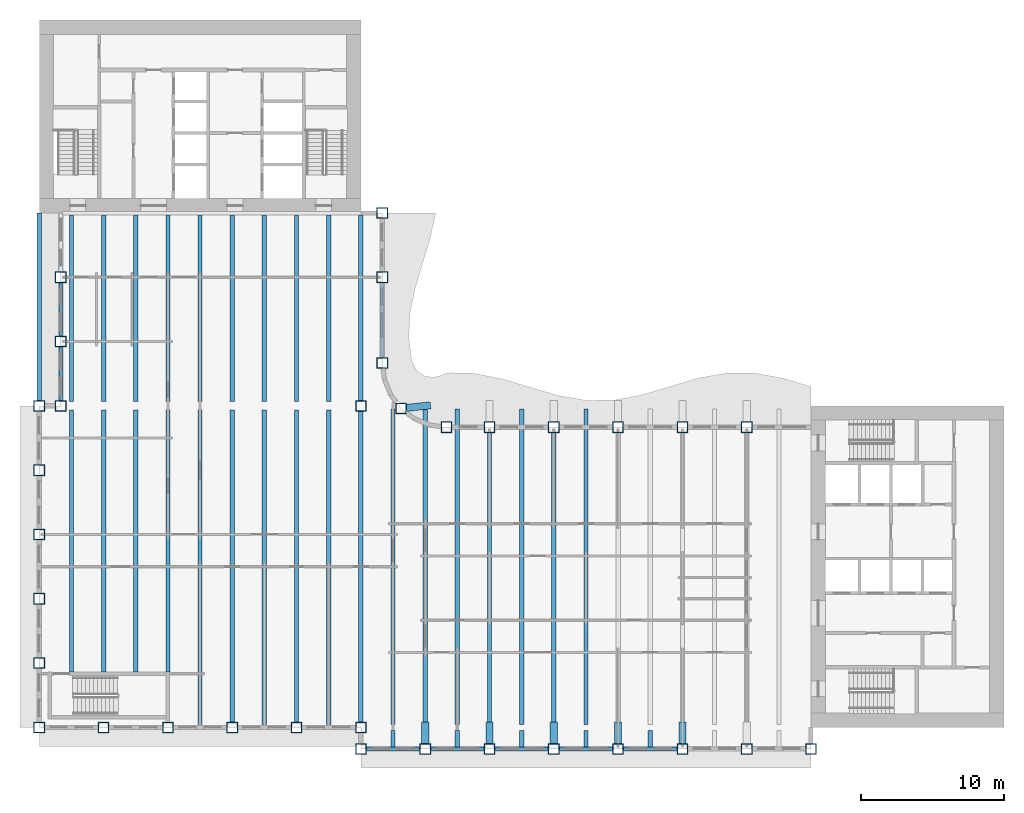
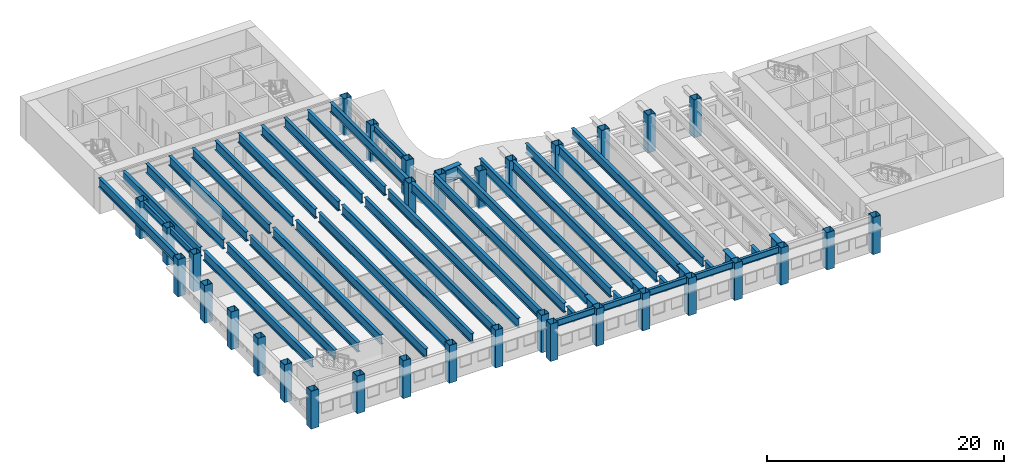
# One storey, part 1 of 16: 47 beams, 33 columns.
"""IFC4 building model written with IfcOpenShell, lengths in metres."""

from ifc_helpers import new_model, si_unit, direction, frame, origin, origin_2d, place, context, subcontext, project, spatial, hollow_rectangle, i_section, extrude, material, material_profile, profile_set, type_object, element, save


model = new_model("IFC4")

# Units and contexts
model_context = context("Model", 3, precision=1e-05, world=origin(), true_north=direction((0.0, 1.0)))
body_context = subcontext(model_context, "Body", "Model", "MODEL_VIEW")
ifc_project = project(units=[si_unit("LENGTHUNIT", "METRE"), si_unit("AREAUNIT", "SQUARE_METRE"), si_unit("VOLUMEUNIT", "CUBIC_METRE"), si_unit("PLANEANGLEUNIT", "RADIAN"), si_unit("MASSUNIT", "GRAM", prefix="KILO")], contexts=[model_context])

# Site, building, storey
site_placement = place(None, origin())
site = spatial("IfcSite", under=ifc_project, at=site_placement, CompositionType="ELEMENT")
building_placement = place(site_placement, origin())
building = spatial("IfcBuilding", under=site, at=building_placement, Name="Sennacour Bend Tower", CompositionType="ELEMENT")
storey_placement = place(building_placement, frame((0.0, 0.0, 239.0)))
storey = spatial("IfcBuildingStorey", under=building, at=storey_placement, Name="L55", CompositionType="ELEMENT", Elevation=239.0)

# Columns
ifc_material_1 = material(Name="Steel ASTM A572 Grade 50", Category="steel")
ifc_material_profile_1 = material_profile(ifc_material_1, hollow_rectangle(XDim=0.75, YDim=0.75, WallThickness=0.035888671875, at=origin_2d()), Name="Steel ASTM A572 Grade 50", Category="steel")
ifc_profile_set_1 = profile_set([ifc_material_profile_1], Name="Steel ASTM A572 Grade 50")
column_type = type_object("IfcColumnType", Name="Box column 750", PredefinedType="COLUMN", material=ifc_profile_set_1)
for number, where, z_axis, x_axis, name in (
    (1, (0.0, 0.0, -0.14990234375), (0.0, 0.0, 1.0), (1.0, 0.0, 0.0), "Perimeter column C4 L55-001"),
    (2, (0.0, 4.5, -0.14990234375), (0.0, 0.0, 1.0), (1.0, 0.0, 0.0), "Perimeter column C4 L55-002"),
    (3, (0.0, 9.0, -0.14990234375), (0.0, 0.0, 1.0), (1.0, 0.0, 0.0), "Perimeter column C4 L55-003"),
    (4, (0.0, 13.5, -0.14990234375), (0.0, 0.0, 1.0), (1.0, 0.0, 0.0), "Perimeter column C4 L55-004"),
    (5, (0.0, 18.0, -0.14990234375), (0.0, 0.0, 1.0), (1.0, 0.0, 0.0), "Perimeter column C4 L55-005"),
):
    element("IfcColumn", number, at=place(storey_placement, frame(where, z_axis=z_axis, x_axis=x_axis)), inside=storey, type_object=column_type, Name=name, PredefinedType="COLUMN", context=body_context, shape_type="SweptSolid", body=[
        extrude(hollow_rectangle(XDim=0.75, YDim=0.75, WallThickness=0.035888671875, at=origin_2d()), origin(), (0.0, 0.0, 1.0), 3.89990234375),
    ])
for number, where, z_axis, x_axis, name in (
    (6, (0.0, 22.5, -0.14990234375), (0.0, 0.0, 1.0), (1.0, 0.0, 0.0), "Perimeter column C4 L55-006"),
    (7, (1.5, 22.5, -0.14990234375), (0.0, 0.0, 1.0), (1.0, 0.0, 0.0), "Perimeter column C4 L55-007"),
    (8, (1.5, 27.0, -0.14990234375), (0.0, 0.0, 1.0), (1.0, 0.0, 0.0), "Perimeter column C4 L55-008"),
    (9, (1.5, 31.5, -0.14990234375), (0.0, 0.0, 1.0), (1.0, 0.0, 0.0), "Perimeter column C4 L55-009"),
):
    element("IfcColumn", number, at=place(storey_placement, frame(where, z_axis=z_axis, x_axis=x_axis)), inside=storey, type_object=column_type, Name=name, PredefinedType="COLUMN", context=body_context, shape_type="SweptSolid", body=[
        extrude(hollow_rectangle(XDim=0.75, YDim=0.75, WallThickness=0.035888671875, at=origin_2d()), origin(), (0.0, 0.0, 1.0), 3.849853515625),
    ])
for number, where, z_axis, x_axis, name in (
    (10, (4.5, 0.0, -0.14990234375), (0.0, 0.0, 1.0), (1.0, 0.0, 0.0), "Perimeter column C4 L55-010"),
    (11, (9.0, 0.0, -0.14990234375), (0.0, 0.0, 1.0), (1.0, 0.0, 0.0), "Perimeter column C4 L55-011"),
    (12, (13.5, 0.0, -0.14990234375), (0.0, 0.0, 1.0), (1.0, 0.0, 0.0), "Perimeter column C4 L55-012"),
    (13, (18.0, 0.0, -0.14990234375), (0.0, 0.0, 1.0), (1.0, 0.0, 0.0), "Perimeter column C4 L55-013"),
):
    element("IfcColumn", number, at=place(storey_placement, frame(where, z_axis=z_axis, x_axis=x_axis)), inside=storey, type_object=column_type, Name=name, PredefinedType="COLUMN", context=body_context, shape_type="SweptSolid", body=[
        extrude(hollow_rectangle(XDim=0.75, YDim=0.75, WallThickness=0.035888671875, at=origin_2d()), origin(), (0.0, 0.0, 1.0), 3.89990234375),
    ])
for number, where, z_axis, x_axis, name in (
    (14, (22.5, -1.5, -0.14990234375), (0.0, 0.0, 1.0), (1.0, 0.0, 0.0), "Perimeter column C4 L55-014"),
    (15, (22.5, 0.0, -0.14990234375), (0.0, 0.0, 1.0), (1.0, 0.0, 0.0), "Perimeter column C4 L55-015"),
    (16, (22.5, 22.5, -0.14990234375), (0.0, 0.0, 1.0), (1.0, 0.0, 0.0), "Knuckle column C4 L55-016"),
    (17, (24.0, 25.5, -0.14990234375), (0.0, 0.0, 1.0), (1.0, 0.0, 0.0), "Perimeter column C4 L55-017"),
    (18, (24.0, 31.5, -0.14990234375), (0.0, 0.0, 1.0), (1.0, 0.0, 0.0), "Perimeter column C4 L55-018"),
    (19, (24.0, 36.0, -0.14990234375), (0.0, 0.0, 1.0), (1.0, 0.0, 0.0), "Perimeter column C4 L55-019"),
    (20, (25.318115234375, 22.318115234375, -0.14990234375), (0.0, 0.0, 1.0), (1.0, 0.0, 0.0), "Perimeter column C4 L55-020"),
    (21, (27.0, -1.5, -0.14990234375), (0.0, 0.0, 1.0), (1.0, 0.0, 0.0), "Perimeter column C4 L55-021"),
):
    element("IfcColumn", number, at=place(storey_placement, frame(where, z_axis=z_axis, x_axis=x_axis)), inside=storey, type_object=column_type, Name=name, PredefinedType="COLUMN", context=body_context, shape_type="SweptSolid", body=[
        extrude(hollow_rectangle(XDim=0.75, YDim=0.75, WallThickness=0.035888671875, at=origin_2d()), origin(), (0.0, 0.0, 1.0), 3.849853515625),
    ])
column_1_placement = place(storey_placement, frame((28.5, 21.0, -0.14990234375), z_axis=(0.0, 0.0, 1.0), x_axis=(1.0, 0.0, 0.0)))
element("IfcColumn", 22, at=column_1_placement, inside=storey, type_object=column_type, Name="Perimeter column C4 L55-022", PredefinedType="COLUMN", context=body_context, shape_type="SweptSolid", body=[
    extrude(hollow_rectangle(XDim=0.75, YDim=0.75, WallThickness=0.035888671875, at=origin_2d()), origin(), (0.0, 0.0, 1.0), 3.89990234375),
])
column_2_placement = place(storey_placement, frame((31.5, -1.5, -0.14990234375), z_axis=(0.0, 0.0, 1.0), x_axis=(1.0, 0.0, 0.0)))
element("IfcColumn", 23, at=column_2_placement, inside=storey, type_object=column_type, Name="Perimeter column C4 L55-023", PredefinedType="COLUMN", context=body_context, shape_type="SweptSolid", body=[
    extrude(hollow_rectangle(XDim=0.75, YDim=0.75, WallThickness=0.035888671875, at=origin_2d()), origin(), (0.0, 0.0, 1.0), 3.849853515625),
])
column_3_placement = place(storey_placement, frame((31.5, 21.0, -0.14990234375), z_axis=(0.0, 0.0, 1.0), x_axis=(1.0, 0.0, 0.0)))
element("IfcColumn", 24, at=column_3_placement, inside=storey, type_object=column_type, Name="Perimeter column C4 L55-024", PredefinedType="COLUMN", context=body_context, shape_type="SweptSolid", body=[
    extrude(hollow_rectangle(XDim=0.75, YDim=0.75, WallThickness=0.035888671875, at=origin_2d()), origin(), (0.0, 0.0, 1.0), 3.89990234375),
])
column_4_placement = place(storey_placement, frame((36.0, -1.5, -0.14990234375), z_axis=(0.0, 0.0, 1.0), x_axis=(1.0, 0.0, 0.0)))
element("IfcColumn", 25, at=column_4_placement, inside=storey, type_object=column_type, Name="Perimeter column C4 L55-025", PredefinedType="COLUMN", context=body_context, shape_type="SweptSolid", body=[
    extrude(hollow_rectangle(XDim=0.75, YDim=0.75, WallThickness=0.035888671875, at=origin_2d()), origin(), (0.0, 0.0, 1.0), 3.849853515625),
])
column_5_placement = place(storey_placement, frame((36.0, 21.0, -0.14990234375), z_axis=(0.0, 0.0, 1.0), x_axis=(1.0, 0.0, 0.0)))
element("IfcColumn", 26, at=column_5_placement, inside=storey, type_object=column_type, Name="Perimeter column C4 L55-026", PredefinedType="COLUMN", context=body_context, shape_type="SweptSolid", body=[
    extrude(hollow_rectangle(XDim=0.75, YDim=0.75, WallThickness=0.035888671875, at=origin_2d()), origin(), (0.0, 0.0, 1.0), 3.89990234375),
])
column_6_placement = place(storey_placement, frame((40.5, -1.5, -0.14990234375), z_axis=(0.0, 0.0, 1.0), x_axis=(1.0, 0.0, 0.0)))
element("IfcColumn", 27, at=column_6_placement, inside=storey, type_object=column_type, Name="Perimeter column C4 L55-027", PredefinedType="COLUMN", context=body_context, shape_type="SweptSolid", body=[
    extrude(hollow_rectangle(XDim=0.75, YDim=0.75, WallThickness=0.035888671875, at=origin_2d()), origin(), (0.0, 0.0, 1.0), 3.849853515625),
])
column_7_placement = place(storey_placement, frame((40.5, 21.0, -0.14990234375), z_axis=(0.0, 0.0, 1.0), x_axis=(1.0, 0.0, 0.0)))
element("IfcColumn", 28, at=column_7_placement, inside=storey, type_object=column_type, Name="Perimeter column C4 L55-028", PredefinedType="COLUMN", context=body_context, shape_type="SweptSolid", body=[
    extrude(hollow_rectangle(XDim=0.75, YDim=0.75, WallThickness=0.035888671875, at=origin_2d()), origin(), (0.0, 0.0, 1.0), 3.89990234375),
])
column_8_placement = place(storey_placement, frame((45.0, -1.5, -0.14990234375), z_axis=(0.0, 0.0, 1.0), x_axis=(1.0, 0.0, 0.0)))
element("IfcColumn", 29, at=column_8_placement, inside=storey, type_object=column_type, Name="Perimeter column C4 L55-029", PredefinedType="COLUMN", context=body_context, shape_type="SweptSolid", body=[
    extrude(hollow_rectangle(XDim=0.75, YDim=0.75, WallThickness=0.035888671875, at=origin_2d()), origin(), (0.0, 0.0, 1.0), 3.849853515625),
])
column_9_placement = place(storey_placement, frame((45.0, 21.0, -0.14990234375), z_axis=(0.0, 0.0, 1.0), x_axis=(1.0, 0.0, 0.0)))
element("IfcColumn", 30, at=column_9_placement, inside=storey, type_object=column_type, Name="Perimeter column C4 L55-030", PredefinedType="COLUMN", context=body_context, shape_type="SweptSolid", body=[
    extrude(hollow_rectangle(XDim=0.75, YDim=0.75, WallThickness=0.035888671875, at=origin_2d()), origin(), (0.0, 0.0, 1.0), 3.89990234375),
])
column_10_placement = place(storey_placement, frame((49.5, -1.5, -0.14990234375), z_axis=(0.0, 0.0, 1.0), x_axis=(1.0, 0.0, 0.0)))
element("IfcColumn", 31, at=column_10_placement, inside=storey, type_object=column_type, Name="Perimeter column C4 L55-031", PredefinedType="COLUMN", context=body_context, shape_type="SweptSolid", body=[
    extrude(hollow_rectangle(XDim=0.75, YDim=0.75, WallThickness=0.035888671875, at=origin_2d()), origin(), (0.0, 0.0, 1.0), 3.849853515625),
])
column_11_placement = place(storey_placement, frame((49.5, 21.0, -0.14990234375), z_axis=(0.0, 0.0, 1.0), x_axis=(1.0, 0.0, 0.0)))
element("IfcColumn", 32, at=column_11_placement, inside=storey, type_object=column_type, Name="Perimeter column C4 L55-032", PredefinedType="COLUMN", context=body_context, shape_type="SweptSolid", body=[
    extrude(hollow_rectangle(XDim=0.75, YDim=0.75, WallThickness=0.035888671875, at=origin_2d()), origin(), (0.0, 0.0, 1.0), 3.89990234375),
])
column_12_placement = place(storey_placement, frame((54.0, -1.5, -0.14990234375), z_axis=(0.0, 0.0, 1.0), x_axis=(1.0, 0.0, 0.0)))
element("IfcColumn", 33, at=column_12_placement, inside=storey, type_object=column_type, Name="Perimeter column C4 L55-033", PredefinedType="COLUMN", context=body_context, shape_type="SweptSolid", body=[
    extrude(hollow_rectangle(XDim=0.75, YDim=0.75, WallThickness=0.035888671875, at=origin_2d()), origin(), (0.0, 0.0, 1.0), 3.849853515625),
])

# Beams
ifc_material_2 = material(Name="Steel ASTM A992 Grade 50", Category="steel")
ifc_material_profile_2 = material_profile(ifc_material_2, i_section(OverallWidth=0.300048828125, OverallDepth=0.97998046875, WebThickness=0.0166015625, FlangeThickness=0.026123046875, FilletRadius=0.02978515625, at=origin_2d()), Name="Steel ASTM A992 Grade 50", Category="steel")
ifc_profile_set_2 = profile_set([ifc_material_profile_2], Name="Steel ASTM A992 Grade 50")
beam_type_1 = type_object("IfcBeamType", Name="Floor beam W1000X249", PredefinedType="BEAM", material=ifc_profile_set_2)
beam_1_placement = place(storey_placement, frame((0.0, 22.875, 3.2099609375), z_axis=(0.0, 1.0, 0.0), x_axis=(-1.0, 0.0, 0.0)))
element("IfcBeam", 34, at=beam_1_placement, inside=storey, type_object=beam_type_1, Name="Floor beam FBM2 L56-001", PredefinedType="BEAM", context=body_context, shape_type="SweptSolid", body=[
    extrude(i_section(OverallWidth=0.300048828125, OverallDepth=0.97998046875, WebThickness=0.0166015625, FlangeThickness=0.026123046875, FilletRadius=0.02978515625, at=origin_2d()), origin(), (0.0, 0.0, 1.0), 13.125),
])
beam_2_placement = place(storey_placement, frame((2.25, 3.875, 3.260009765625), z_axis=(0.0, 1.0, 0.0), x_axis=(-1.0, 0.0, 0.0)))
element("IfcBeam", 35, at=beam_2_placement, inside=storey, type_object=beam_type_1, Name="Floor beam FBM2 L56-002", PredefinedType="BEAM", context=body_context, shape_type="SweptSolid", body=[
    extrude(i_section(OverallWidth=0.300048828125, OverallDepth=0.97998046875, WebThickness=0.0166015625, FlangeThickness=0.026123046875, FilletRadius=0.02978515625, at=origin_2d()), origin(), (0.0, 0.0, 1.0), 18.324951171875),
])
beam_3_placement = place(storey_placement, frame((2.25, 22.800048828125, 3.2099609375), z_axis=(0.0, 1.0, 0.0), x_axis=(-1.0, 0.0, 0.0)))
element("IfcBeam", 36, at=beam_3_placement, inside=storey, type_object=beam_type_1, Name="Floor beam FBM2 L56-003", PredefinedType="BEAM", context=body_context, shape_type="SweptSolid", body=[
    extrude(i_section(OverallWidth=0.300048828125, OverallDepth=0.97998046875, WebThickness=0.0166015625, FlangeThickness=0.026123046875, FilletRadius=0.02978515625, at=origin_2d()), origin(), (0.0, 0.0, 1.0), 13.04150390625),
])
beam_4_placement = place(storey_placement, frame((4.5, 3.875, 3.260009765625), z_axis=(0.0, 1.0, 0.0), x_axis=(-1.0, 0.0, 0.0)))
element("IfcBeam", 37, at=beam_4_placement, inside=storey, type_object=beam_type_1, Name="Floor beam FBM2 L56-004", PredefinedType="BEAM", context=body_context, shape_type="SweptSolid", body=[
    extrude(i_section(OverallWidth=0.300048828125, OverallDepth=0.97998046875, WebThickness=0.0166015625, FlangeThickness=0.026123046875, FilletRadius=0.02978515625, at=origin_2d()), origin(), (0.0, 0.0, 1.0), 18.324951171875),
])
beam_5_placement = place(storey_placement, frame((4.5, 22.800048828125, 3.2099609375), z_axis=(0.0, 1.0, 0.0), x_axis=(-1.0, 0.0, 0.0)))
element("IfcBeam", 38, at=beam_5_placement, inside=storey, type_object=beam_type_1, Name="Floor beam FBM2 L56-005", PredefinedType="BEAM", context=body_context, shape_type="SweptSolid", body=[
    extrude(i_section(OverallWidth=0.300048828125, OverallDepth=0.97998046875, WebThickness=0.0166015625, FlangeThickness=0.026123046875, FilletRadius=0.02978515625, at=origin_2d()), origin(), (0.0, 0.0, 1.0), 13.04150390625),
])
beam_6_placement = place(storey_placement, frame((6.75, 3.875, 3.260009765625), z_axis=(0.0, 1.0, 0.0), x_axis=(-1.0, 0.0, 0.0)))
element("IfcBeam", 39, at=beam_6_placement, inside=storey, type_object=beam_type_1, Name="Floor beam FBM2 L56-006", PredefinedType="BEAM", context=body_context, shape_type="SweptSolid", body=[
    extrude(i_section(OverallWidth=0.300048828125, OverallDepth=0.97998046875, WebThickness=0.0166015625, FlangeThickness=0.026123046875, FilletRadius=0.02978515625, at=origin_2d()), origin(), (0.0, 0.0, 1.0), 18.324951171875),
])
beam_7_placement = place(storey_placement, frame((6.75, 22.800048828125, 3.2099609375), z_axis=(0.0, 1.0, 0.0), x_axis=(-1.0, 0.0, 0.0)))
element("IfcBeam", 40, at=beam_7_placement, inside=storey, type_object=beam_type_1, Name="Floor beam FBM2 L56-007", PredefinedType="BEAM", context=body_context, shape_type="SweptSolid", body=[
    extrude(i_section(OverallWidth=0.300048828125, OverallDepth=0.97998046875, WebThickness=0.0166015625, FlangeThickness=0.026123046875, FilletRadius=0.02978515625, at=origin_2d()), origin(), (0.0, 0.0, 1.0), 13.04150390625),
])
beam_8_placement = place(storey_placement, frame((9.0, 3.875, 3.260009765625), z_axis=(0.0, 1.0, 0.0), x_axis=(-1.0, 0.0, 0.0)))
element("IfcBeam", 41, at=beam_8_placement, inside=storey, type_object=beam_type_1, Name="Floor beam FBM2 L56-008", PredefinedType="BEAM", context=body_context, shape_type="SweptSolid", body=[
    extrude(i_section(OverallWidth=0.300048828125, OverallDepth=0.97998046875, WebThickness=0.0166015625, FlangeThickness=0.026123046875, FilletRadius=0.02978515625, at=origin_2d()), origin(), (0.0, 0.0, 1.0), 18.324951171875),
])
beam_9_placement = place(storey_placement, frame((9.0, 22.800048828125, 3.2099609375), z_axis=(0.0, 1.0, 0.0), x_axis=(-1.0, 0.0, 0.0)))
element("IfcBeam", 42, at=beam_9_placement, inside=storey, type_object=beam_type_1, Name="Floor beam FBM2 L56-009", PredefinedType="BEAM", context=body_context, shape_type="SweptSolid", body=[
    extrude(i_section(OverallWidth=0.300048828125, OverallDepth=0.97998046875, WebThickness=0.0166015625, FlangeThickness=0.026123046875, FilletRadius=0.02978515625, at=origin_2d()), origin(), (0.0, 0.0, 1.0), 13.04150390625),
])
beam_10_placement = place(storey_placement, frame((11.25, 0.20947265625, 3.260009765625), z_axis=(0.0, 1.0, 0.0), x_axis=(-1.0, 0.0, 0.0)))
element("IfcBeam", 43, at=beam_10_placement, inside=storey, type_object=beam_type_1, Name="Floor beam FBM2 L56-010", PredefinedType="BEAM", context=body_context, shape_type="SweptSolid", body=[
    extrude(i_section(OverallWidth=0.300048828125, OverallDepth=0.97998046875, WebThickness=0.0166015625, FlangeThickness=0.026123046875, FilletRadius=0.02978515625, at=origin_2d()), origin(), (0.0, 0.0, 1.0), 21.990478515625),
])
beam_11_placement = place(storey_placement, frame((11.25, 22.800048828125, 3.2099609375), z_axis=(0.0, 1.0, 0.0), x_axis=(-1.0, 0.0, 0.0)))
element("IfcBeam", 44, at=beam_11_placement, inside=storey, type_object=beam_type_1, Name="Floor beam FBM2 L56-011", PredefinedType="BEAM", context=body_context, shape_type="SweptSolid", body=[
    extrude(i_section(OverallWidth=0.300048828125, OverallDepth=0.97998046875, WebThickness=0.0166015625, FlangeThickness=0.026123046875, FilletRadius=0.02978515625, at=origin_2d()), origin(), (0.0, 0.0, 1.0), 13.04150390625),
])
beam_12_placement = place(storey_placement, frame((13.5, 0.375, 3.260009765625), z_axis=(0.0, 1.0, 0.0), x_axis=(-1.0, 0.0, 0.0)))
element("IfcBeam", 45, at=beam_12_placement, inside=storey, type_object=beam_type_1, Name="Floor beam FBM2 L56-012", PredefinedType="BEAM", context=body_context, shape_type="SweptSolid", body=[
    extrude(i_section(OverallWidth=0.300048828125, OverallDepth=0.97998046875, WebThickness=0.0166015625, FlangeThickness=0.026123046875, FilletRadius=0.02978515625, at=origin_2d()), origin(), (0.0, 0.0, 1.0), 21.824951171875),
])
beam_13_placement = place(storey_placement, frame((13.5, 22.800048828125, 3.2099609375), z_axis=(0.0, 1.0, 0.0), x_axis=(-1.0, 0.0, 0.0)))
element("IfcBeam", 46, at=beam_13_placement, inside=storey, type_object=beam_type_1, Name="Floor beam FBM2 L56-013", PredefinedType="BEAM", context=body_context, shape_type="SweptSolid", body=[
    extrude(i_section(OverallWidth=0.300048828125, OverallDepth=0.97998046875, WebThickness=0.0166015625, FlangeThickness=0.026123046875, FilletRadius=0.02978515625, at=origin_2d()), origin(), (0.0, 0.0, 1.0), 13.04150390625),
])
beam_14_placement = place(storey_placement, frame((15.75, 0.20947265625, 3.260009765625), z_axis=(0.0, 1.0, 0.0), x_axis=(-1.0, 0.0, 0.0)))
element("IfcBeam", 47, at=beam_14_placement, inside=storey, type_object=beam_type_1, Name="Floor beam FBM2 L56-014", PredefinedType="BEAM", context=body_context, shape_type="SweptSolid", body=[
    extrude(i_section(OverallWidth=0.300048828125, OverallDepth=0.97998046875, WebThickness=0.0166015625, FlangeThickness=0.026123046875, FilletRadius=0.02978515625, at=origin_2d()), origin(), (0.0, 0.0, 1.0), 21.990478515625),
])
beam_15_placement = place(storey_placement, frame((15.75, 22.800048828125, 3.2099609375), z_axis=(0.0, 1.0, 0.0), x_axis=(-1.0, 0.0, 0.0)))
element("IfcBeam", 48, at=beam_15_placement, inside=storey, type_object=beam_type_1, Name="Floor beam FBM2 L56-015", PredefinedType="BEAM", context=body_context, shape_type="SweptSolid", body=[
    extrude(i_section(OverallWidth=0.300048828125, OverallDepth=0.97998046875, WebThickness=0.0166015625, FlangeThickness=0.026123046875, FilletRadius=0.02978515625, at=origin_2d()), origin(), (0.0, 0.0, 1.0), 13.04150390625),
])
beam_16_placement = place(storey_placement, frame((18.0, 0.375, 3.260009765625), z_axis=(0.0, 1.0, 0.0), x_axis=(-1.0, 0.0, 0.0)))
element("IfcBeam", 49, at=beam_16_placement, inside=storey, type_object=beam_type_1, Name="Floor beam FBM2 L56-016", PredefinedType="BEAM", context=body_context, shape_type="SweptSolid", body=[
    extrude(i_section(OverallWidth=0.300048828125, OverallDepth=0.97998046875, WebThickness=0.0166015625, FlangeThickness=0.026123046875, FilletRadius=0.02978515625, at=origin_2d()), origin(), (0.0, 0.0, 1.0), 21.824951171875),
])
beam_17_placement = place(storey_placement, frame((18.0, 22.800048828125, 3.2099609375), z_axis=(0.0, 1.0, 0.0), x_axis=(-1.0, 0.0, 0.0)))
element("IfcBeam", 50, at=beam_17_placement, inside=storey, type_object=beam_type_1, Name="Floor beam FBM2 L56-017", PredefinedType="BEAM", context=body_context, shape_type="SweptSolid", body=[
    extrude(i_section(OverallWidth=0.300048828125, OverallDepth=0.97998046875, WebThickness=0.0166015625, FlangeThickness=0.026123046875, FilletRadius=0.02978515625, at=origin_2d()), origin(), (0.0, 0.0, 1.0), 13.04150390625),
])
beam_18_placement = place(storey_placement, frame((20.25, 0.20947265625, 3.260009765625), z_axis=(0.0, 1.0, 0.0), x_axis=(-1.0, 0.0, 0.0)))
element("IfcBeam", 51, at=beam_18_placement, inside=storey, type_object=beam_type_1, Name="Floor beam FBM2 L56-018", PredefinedType="BEAM", context=body_context, shape_type="SweptSolid", body=[
    extrude(i_section(OverallWidth=0.300048828125, OverallDepth=0.97998046875, WebThickness=0.0166015625, FlangeThickness=0.026123046875, FilletRadius=0.02978515625, at=origin_2d()), origin(), (0.0, 0.0, 1.0), 21.990478515625),
])
beam_19_placement = place(storey_placement, frame((20.25, 22.800048828125, 3.2099609375), z_axis=(0.0, 1.0, 0.0), x_axis=(-1.0, 0.0, 0.0)))
element("IfcBeam", 52, at=beam_19_placement, inside=storey, type_object=beam_type_1, Name="Floor beam FBM2 L56-019", PredefinedType="BEAM", context=body_context, shape_type="SweptSolid", body=[
    extrude(i_section(OverallWidth=0.300048828125, OverallDepth=0.97998046875, WebThickness=0.0166015625, FlangeThickness=0.026123046875, FilletRadius=0.02978515625, at=origin_2d()), origin(), (0.0, 0.0, 1.0), 13.04150390625),
])
beam_20_placement = place(storey_placement, frame((22.5, 0.375, 3.260009765625), z_axis=(0.0, 1.0, 0.0), x_axis=(-1.0, 0.0, 0.0)))
element("IfcBeam", 53, at=beam_20_placement, inside=storey, type_object=beam_type_1, Name="Floor beam FBM2 L56-020", PredefinedType="BEAM", context=body_context, shape_type="SweptSolid", body=[
    extrude(i_section(OverallWidth=0.300048828125, OverallDepth=0.97998046875, WebThickness=0.0166015625, FlangeThickness=0.026123046875, FilletRadius=0.02978515625, at=origin_2d()), origin(), (0.0, 0.0, 1.0), 21.75),
])
beam_21_placement = place(storey_placement, frame((22.5, 22.875, 3.2099609375), z_axis=(0.0, 1.0, 0.0), x_axis=(-1.0, 0.0, 0.0)))
element("IfcBeam", 54, at=beam_21_placement, inside=storey, type_object=beam_type_1, Name="Floor beam FBM2 L56-021", PredefinedType="BEAM", context=body_context, shape_type="SweptSolid", body=[
    extrude(i_section(OverallWidth=0.300048828125, OverallDepth=0.97998046875, WebThickness=0.0166015625, FlangeThickness=0.026123046875, FilletRadius=0.02978515625, at=origin_2d()), origin(), (0.0, 0.0, 1.0), 12.966552734375),
])
beam_22_placement = place(storey_placement, frame((24.75, -1.37158203125, 3.2099609375), z_axis=(0.0, 1.0, 0.0), x_axis=(-1.0, 0.0, 0.0)))
element("IfcBeam", 55, at=beam_22_placement, inside=storey, type_object=beam_type_1, Name="Floor beam FBM2 L56-022", PredefinedType="BEAM", context=body_context, shape_type="SweptSolid", body=[
    extrude(i_section(OverallWidth=0.300048828125, OverallDepth=0.97998046875, WebThickness=0.0166015625, FlangeThickness=0.026123046875, FilletRadius=0.02978515625, at=origin_2d()), origin(), (0.0, 0.0, 1.0), 1.162109375),
])
beam_23_placement = place(storey_placement, frame((24.75, 0.20947265625, 3.260009765625), z_axis=(0.0, 1.0, 0.0), x_axis=(-1.0, 0.0, 0.0)))
element("IfcBeam", 56, at=beam_23_placement, inside=storey, type_object=beam_type_1, Name="Floor beam FBM2 L56-023", PredefinedType="BEAM", context=body_context, shape_type="SweptSolid", body=[
    extrude(i_section(OverallWidth=0.300048828125, OverallDepth=0.97998046875, WebThickness=0.0166015625, FlangeThickness=0.026123046875, FilletRadius=0.02978515625, at=origin_2d()), origin(), (0.0, 0.0, 1.0), 22.0810546875),
])
beam_24_placement = place(storey_placement, frame((27.0, 0.375, 3.260009765625), z_axis=(0.0, 1.0, 0.0), x_axis=(-1.0, 0.0, 0.0)))
element("IfcBeam", 57, at=beam_24_placement, inside=storey, type_object=beam_type_1, Name="Floor beam FBM2 L56-024", PredefinedType="BEAM", context=body_context, shape_type="SweptSolid", body=[
    extrude(i_section(OverallWidth=0.300048828125, OverallDepth=0.97998046875, WebThickness=0.0166015625, FlangeThickness=0.026123046875, FilletRadius=0.02978515625, at=origin_2d()), origin(), (0.0, 0.0, 1.0), 21.87353515625),
])
beam_25_placement = place(storey_placement, frame((29.25, -1.37158203125, 3.2099609375), z_axis=(0.0, 1.0, 0.0), x_axis=(-1.0, 0.0, 0.0)))
element("IfcBeam", 58, at=beam_25_placement, inside=storey, type_object=beam_type_1, Name="Floor beam FBM2 L56-025", PredefinedType="BEAM", context=body_context, shape_type="SweptSolid", body=[
    extrude(i_section(OverallWidth=0.300048828125, OverallDepth=0.97998046875, WebThickness=0.0166015625, FlangeThickness=0.026123046875, FilletRadius=0.02978515625, at=origin_2d()), origin(), (0.0, 0.0, 1.0), 1.162109375),
])
beam_26_placement = place(storey_placement, frame((29.25, 0.20947265625, 3.260009765625), z_axis=(0.0, 1.0, 0.0), x_axis=(-1.0, 0.0, 0.0)))
element("IfcBeam", 59, at=beam_26_placement, inside=storey, type_object=beam_type_1, Name="Floor beam FBM2 L56-026", PredefinedType="BEAM", context=body_context, shape_type="SweptSolid", body=[
    extrude(i_section(OverallWidth=0.300048828125, OverallDepth=0.97998046875, WebThickness=0.0166015625, FlangeThickness=0.026123046875, FilletRadius=0.02978515625, at=origin_2d()), origin(), (0.0, 0.0, 1.0), 22.0810546875),
])
beam_27_placement = place(storey_placement, frame((31.5, 0.375, 3.260009765625), z_axis=(0.0, 1.0, 0.0), x_axis=(-1.0, 0.0, 0.0)))
element("IfcBeam", 60, at=beam_27_placement, inside=storey, type_object=beam_type_1, Name="Floor beam FBM2 L56-027", PredefinedType="BEAM", context=body_context, shape_type="SweptSolid", body=[
    extrude(i_section(OverallWidth=0.300048828125, OverallDepth=0.97998046875, WebThickness=0.0166015625, FlangeThickness=0.026123046875, FilletRadius=0.02978515625, at=origin_2d()), origin(), (0.0, 0.0, 1.0), 20.25),
])
beam_28_placement = place(storey_placement, frame((33.75, -1.37158203125, 3.2099609375), z_axis=(0.0, 1.0, 0.0), x_axis=(-1.0, 0.0, 0.0)))
element("IfcBeam", 61, at=beam_28_placement, inside=storey, type_object=beam_type_1, Name="Floor beam FBM2 L56-028", PredefinedType="BEAM", context=body_context, shape_type="SweptSolid", body=[
    extrude(i_section(OverallWidth=0.300048828125, OverallDepth=0.97998046875, WebThickness=0.0166015625, FlangeThickness=0.026123046875, FilletRadius=0.02978515625, at=origin_2d()), origin(), (0.0, 0.0, 1.0), 1.162109375),
])
beam_29_placement = place(storey_placement, frame((33.75, 0.20947265625, 3.260009765625), z_axis=(0.0, 1.0, 0.0), x_axis=(-1.0, 0.0, 0.0)))
element("IfcBeam", 62, at=beam_29_placement, inside=storey, type_object=beam_type_1, Name="Floor beam FBM2 L56-029", PredefinedType="BEAM", context=body_context, shape_type="SweptSolid", body=[
    extrude(i_section(OverallWidth=0.300048828125, OverallDepth=0.97998046875, WebThickness=0.0166015625, FlangeThickness=0.026123046875, FilletRadius=0.02978515625, at=origin_2d()), origin(), (0.0, 0.0, 1.0), 22.0810546875),
])
beam_30_placement = place(storey_placement, frame((36.0, 0.375, 3.260009765625), z_axis=(0.0, 1.0, 0.0), x_axis=(-1.0, 0.0, 0.0)))
element("IfcBeam", 63, at=beam_30_placement, inside=storey, type_object=beam_type_1, Name="Floor beam FBM2 L56-030", PredefinedType="BEAM", context=body_context, shape_type="SweptSolid", body=[
    extrude(i_section(OverallWidth=0.300048828125, OverallDepth=0.97998046875, WebThickness=0.0166015625, FlangeThickness=0.026123046875, FilletRadius=0.02978515625, at=origin_2d()), origin(), (0.0, 0.0, 1.0), 20.25),
])
beam_31_placement = place(storey_placement, frame((38.25, -1.37158203125, 3.2099609375), z_axis=(0.0, 1.0, 0.0), x_axis=(-1.0, 0.0, 0.0)))
element("IfcBeam", 64, at=beam_31_placement, inside=storey, type_object=beam_type_1, Name="Floor beam FBM2 L56-031", PredefinedType="BEAM", context=body_context, shape_type="SweptSolid", body=[
    extrude(i_section(OverallWidth=0.300048828125, OverallDepth=0.97998046875, WebThickness=0.0166015625, FlangeThickness=0.026123046875, FilletRadius=0.02978515625, at=origin_2d()), origin(), (0.0, 0.0, 1.0), 1.162109375),
])
beam_32_placement = place(storey_placement, frame((38.25, 0.20947265625, 3.260009765625), z_axis=(0.0, 1.0, 0.0), x_axis=(-1.0, 0.0, 0.0)))
element("IfcBeam", 65, at=beam_32_placement, inside=storey, type_object=beam_type_1, Name="Floor beam FBM2 L56-032", PredefinedType="BEAM", context=body_context, shape_type="SweptSolid", body=[
    extrude(i_section(OverallWidth=0.300048828125, OverallDepth=0.97998046875, WebThickness=0.0166015625, FlangeThickness=0.026123046875, FilletRadius=0.02978515625, at=origin_2d()), origin(), (0.0, 0.0, 1.0), 22.0810546875),
])
beam_33_placement = place(storey_placement, frame((42.75, -1.37158203125, 3.2099609375), z_axis=(0.0, 1.0, 0.0), x_axis=(-1.0, 0.0, 0.0)))
element("IfcBeam", 66, at=beam_33_placement, inside=storey, type_object=beam_type_1, Name="Floor beam FBM2 L56-034", PredefinedType="BEAM", context=body_context, shape_type="SweptSolid", body=[
    extrude(i_section(OverallWidth=0.300048828125, OverallDepth=0.97998046875, WebThickness=0.0166015625, FlangeThickness=0.026123046875, FilletRadius=0.02978515625, at=origin_2d()), origin(), (0.0, 0.0, 1.0), 1.162109375),
])
ifc_material_profile_3 = material_profile(ifc_material_2, i_section(OverallWidth=0.257080078125, OverallDepth=0.693115234375, WebThickness=0.014404296875, FlangeThickness=0.023681640625, FilletRadius=0.015380859375, at=origin_2d()), Name="Steel ASTM A992 Grade 50", Category="steel")
ifc_profile_set_3 = profile_set([ifc_material_profile_3], Name="Steel ASTM A992 Grade 50")
beam_type_2 = type_object("IfcBeamType", Name="Spandrel beam W690X170", PredefinedType="SPANDREL", material=ifc_profile_set_3)
for number, where, z_axis, x_axis, name in (
    (67, (44.625, -1.5, 3.353515625), (-1.0, 0.0, 0.0), (0.0, -1.0, 0.0), "Spandrel beam SP5 L56-003"),
    (68, (40.125, -1.5, 3.353515625), (-1.0, 0.0, 0.0), (0.0, -1.0, 0.0), "Spandrel beam SP5 L56-004"),
    (69, (35.625, -1.5, 3.353515625), (-1.0, 0.0, 0.0), (0.0, -1.0, 0.0), "Spandrel beam SP5 L56-005"),
    (70, (31.125, -1.5, 3.353515625), (-1.0, 0.0, 0.0), (0.0, -1.0, 0.0), "Spandrel beam SP5 L56-006"),
    (71, (26.625, -1.5, 3.353515625), (-1.0, 0.0, 0.0), (0.0, -1.0, 0.0), "Spandrel beam SP5 L56-007"),
):
    element("IfcBeam", number, at=place(storey_placement, frame(where, z_axis=z_axis, x_axis=x_axis)), inside=storey, type_object=beam_type_2, Name=name, PredefinedType="SPANDREL", context=body_context, shape_type="SweptSolid", body=[
        extrude(i_section(OverallWidth=0.257080078125, OverallDepth=0.693115234375, WebThickness=0.014404296875, FlangeThickness=0.023681640625, FilletRadius=0.015380859375, at=origin_2d()), origin(), (0.0, 0.0, 1.0), 3.75),
    ])
beam_34_placement = place(storey_placement, frame((24.0, 31.125, 3.353515625), z_axis=(0.0, -1.0, 0.0), x_axis=(1.0, 0.0, 0.0)))
element("IfcBeam", 72, at=beam_34_placement, inside=storey, type_object=beam_type_2, Name="Spandrel beam SP5 L56-010", PredefinedType="SPANDREL", context=body_context, shape_type="SweptSolid", body=[
    extrude(i_section(OverallWidth=0.257080078125, OverallDepth=0.693115234375, WebThickness=0.014404296875, FlangeThickness=0.023681640625, FilletRadius=0.015380859375, at=origin_2d()), origin(), (0.0, 0.0, 1.0), 5.25),
])
for number, where, z_axis, x_axis, name in (
    (73, (1.5, 22.875, 3.353515625), (0.0, 1.0, 0.0), (-1.0, 0.0, 0.0), "Spandrel beam SP5 L56-011"),
    (74, (1.5, 27.375, 3.353515625), (0.0, 1.0, 0.0), (-1.0, 0.0, 0.0), "Spandrel beam SP5 L56-012"),
):
    element("IfcBeam", number, at=place(storey_placement, frame(where, z_axis=z_axis, x_axis=x_axis)), inside=storey, type_object=beam_type_2, Name=name, PredefinedType="SPANDREL", context=body_context, shape_type="SweptSolid", body=[
        extrude(i_section(OverallWidth=0.257080078125, OverallDepth=0.693115234375, WebThickness=0.014404296875, FlangeThickness=0.023681640625, FilletRadius=0.015380859375, at=origin_2d()), origin(), (0.0, 0.0, 1.0), 3.75),
    ])
ifc_material_profile_4 = material_profile(ifc_material_1, i_section(OverallWidth=0.5, OverallDepth=1.39990234375, WebThickness=0.030029296875, FlangeThickness=0.054931640625, at=origin_2d()), Name="Steel ASTM A572 Grade 50", Category="steel")
ifc_profile_set_4 = profile_set([ifc_material_profile_4], Name="Steel ASTM A572 Grade 50")
beam_type_3 = type_object("IfcBeamType", Name="Transfer stub 1400", PredefinedType="USERDEFINED", material=ifc_profile_set_4)
beam_35_placement = place(storey_placement, frame((27.0, -1.125, 3.0), z_axis=(0.0, 1.0, 0.0), x_axis=(-1.0, 0.0, 0.0)))
element("IfcBeam", 75, at=beam_35_placement, inside=storey, type_object=beam_type_3, Name="Transfer beam TS L56-001", ObjectType="TRANSFER BEAM", PredefinedType="USERDEFINED", context=body_context, shape_type="SweptSolid", body=[
    extrude(i_section(OverallWidth=0.5, OverallDepth=1.39990234375, WebThickness=0.030029296875, FlangeThickness=0.054931640625, at=origin_2d()), origin(), (0.0, 0.0, 1.0), 1.5),
])
beam_36_placement = place(storey_placement, frame((25.693115234375, 22.358642578125, 3.050048828125), z_axis=(0.994203295747, 0.107516541636, 0.0), x_axis=(-0.107516541636, 0.994203295747, 0.0)))
element("IfcBeam", 76, at=beam_36_placement, inside=storey, type_object=beam_type_3, Name="Transfer beam TS L56-002", ObjectType="TRANSFER BEAM", PredefinedType="USERDEFINED", context=body_context, shape_type="SweptSolid", body=[
    extrude(i_section(OverallWidth=0.5, OverallDepth=1.39990234375, WebThickness=0.030029296875, FlangeThickness=0.054931640625, at=origin_2d()), origin(), (0.0, 0.0, 1.0), 1.691650390625),
])
for number, where, z_axis, x_axis, name in (
    (77, (31.5, -1.125, 3.0), (0.0, 1.0, 0.0), (-1.0, 0.0, 0.0), "Transfer beam TS L56-003"),
    (78, (36.0, -1.125, 3.0), (0.0, 1.0, 0.0), (-1.0, 0.0, 0.0), "Transfer beam TS L56-005"),
    (79, (40.5, -1.125, 3.0), (0.0, 1.0, 0.0), (-1.0, 0.0, 0.0), "Transfer beam TS L56-007"),
    (80, (45.0, -1.125, 3.0), (0.0, 1.0, 0.0), (-1.0, 0.0, 0.0), "Transfer beam TS L56-009"),
):
    element("IfcBeam", number, at=place(storey_placement, frame(where, z_axis=z_axis, x_axis=x_axis)), inside=storey, type_object=beam_type_3, Name=name, ObjectType="TRANSFER BEAM", PredefinedType="USERDEFINED", context=body_context, shape_type="SweptSolid", body=[
        extrude(i_section(OverallWidth=0.5, OverallDepth=1.39990234375, WebThickness=0.030029296875, FlangeThickness=0.054931640625, at=origin_2d()), origin(), (0.0, 0.0, 1.0), 1.5),
    ])

save(model, "model.ifc")
